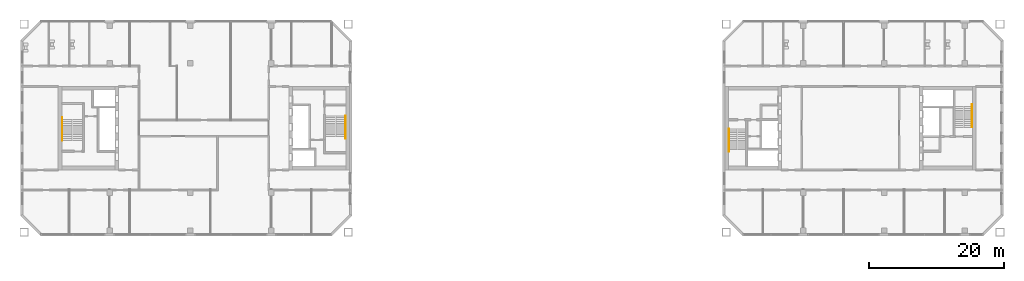
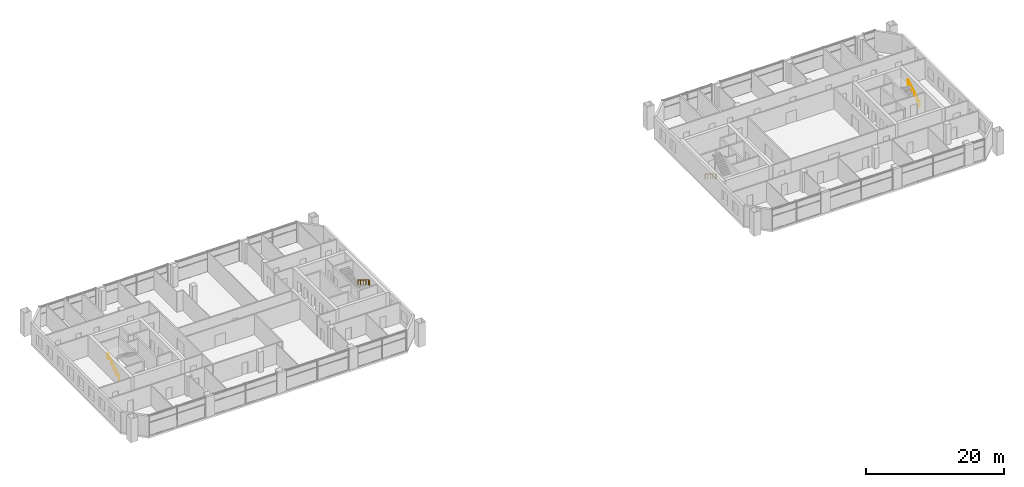
# One storey, part 16 of 17: 4 railings.
"""IFC4 building model written with IfcOpenShell, lengths in metres."""

from ifc_helpers import new_model, si_unit, direction, frame, origin, origin_2d, place, context, subcontext, project, spatial, circle, extrude, material, type_object, element, save


model = new_model("IFC4")

# Units and contexts
model_context = context("Model", 3, precision=1e-05, world=origin(), true_north=direction((0.0, 1.0)))
body_context = subcontext(model_context, "Body", "Model", "MODEL_VIEW")
ifc_project = project(units=[si_unit("LENGTHUNIT", "METRE"), si_unit("AREAUNIT", "SQUARE_METRE"), si_unit("VOLUMEUNIT", "CUBIC_METRE"), si_unit("PLANEANGLEUNIT", "RADIAN"), si_unit("MASSUNIT", "GRAM", prefix="KILO")], contexts=[model_context])

# Site, building, storey
site_placement = place(None, origin())
site = spatial("IfcSite", under=ifc_project, at=site_placement, CompositionType="ELEMENT")
building_placement = place(site_placement, origin())
building = spatial("IfcBuilding", under=site, at=building_placement, Name="Tuart Gate Housing", CompositionType="ELEMENT")
storey_placement = place(building_placement, frame((0.0, 0.0, 119.5)))
storey = spatial("IfcBuildingStorey", under=building, at=storey_placement, Name="L33", CompositionType="ELEMENT", Elevation=119.5)

# Railings
ifc_material = material(Name="Stainless steel", Category="steel")
railing_type = type_object("IfcRailingType", Name="Stair handrail 900", PredefinedType="HANDRAIL", material=ifc_material)
railing_1_placement = place(storey_placement, frame((75.030029296875, 71.824951171875, 0.175048828125)))
element("IfcRailing", 1, at=railing_1_placement, inside=storey, type_object=railing_type, Name="Stair handrail SA1.1", PredefinedType="HANDRAIL", context=body_context, shape_type="SweptSolid", body=[
    extrude(circle(Radius=0.02392578125, at=origin_2d()), frame((0.0, 0.0, 0.8759765625), z_axis=(0.0, -0.847979421464, 0.530029150871), x_axis=(1.0, 0.0, 0.0)), (0.0, 0.0, 1.0), 3.632080078125),
    extrude(circle(Radius=0.02392578125, at=origin_2d()), frame((0.0, -3.079833984375, 2.80078125), z_axis=(0.0, -1.0, 0.0), x_axis=(1.0, 0.0, 0.0)), (0.0, 0.0, 1.0), 0.300048828125),
    extrude(circle(Radius=0.02099609375, at=origin_2d()), origin(), (0.0, 0.0, 1.0), 0.851806640625),
    extrude(circle(Radius=0.02099609375, at=origin_2d()), frame((0.0, -0.77001953125, 0.481201171875)), (0.0, 0.0, 1.0), 0.851806640625),
    extrude(circle(Radius=0.02099609375, at=origin_2d()), frame((0.0, -1.5400390625, 0.96240234375)), (0.0, 0.0, 1.0), 0.851806640625),
    extrude(circle(Radius=0.02099609375, at=origin_2d()), frame((0.0, -2.309814453125, 1.44384765625)), (0.0, 0.0, 1.0), 0.851806640625),
    extrude(circle(Radius=0.02099609375, at=origin_2d()), frame((0.0, -3.079833984375, 1.925048828125)), (0.0, 0.0, 1.0), 0.851806640625),
    extrude(circle(Radius=0.02099609375, at=origin_2d()), frame((0.0, -3.3798828125, 1.925048828125)), (0.0, 0.0, 1.0), 0.851806640625),
])
railing_2_placement = place(storey_placement, frame((32.969970703125, 68.175048828125, 0.175048828125)))
element("IfcRailing", 2, at=railing_2_placement, inside=storey, type_object=railing_type, Name="Stair handrail SA2.1", PredefinedType="HANDRAIL", context=body_context, shape_type="SweptSolid", body=[
    extrude(circle(Radius=0.02392578125, at=origin_2d()), frame((0.0, 0.0, 0.8759765625), z_axis=(0.0, 0.847979421464, 0.530029150871), x_axis=(-1.0, 0.0, 0.0)), (0.0, 0.0, 1.0), 3.632080078125),
    extrude(circle(Radius=0.02392578125, at=origin_2d()), frame((0.0, 3.079833984375, 2.80078125), z_axis=(0.0, 1.0, 0.0), x_axis=(-1.0, 0.0, 0.0)), (0.0, 0.0, 1.0), 0.300048828125),
    extrude(circle(Radius=0.02099609375, at=origin_2d()), origin(), (0.0, 0.0, 1.0), 0.851806640625),
    extrude(circle(Radius=0.02099609375, at=origin_2d()), frame((0.0, 0.77001953125, 0.481201171875)), (0.0, 0.0, 1.0), 0.851806640625),
    extrude(circle(Radius=0.02099609375, at=origin_2d()), frame((0.0, 1.5400390625, 0.96240234375)), (0.0, 0.0, 1.0), 0.851806640625),
    extrude(circle(Radius=0.02099609375, at=origin_2d()), frame((0.0, 2.309814453125, 1.44384765625)), (0.0, 0.0, 1.0), 0.851806640625),
    extrude(circle(Radius=0.02099609375, at=origin_2d()), frame((0.0, 3.079833984375, 1.925048828125)), (0.0, 0.0, 1.0), 0.851806640625),
    extrude(circle(Radius=0.02099609375, at=origin_2d()), frame((0.0, 3.3798828125, 1.925048828125)), (0.0, 0.0, 1.0), 0.851806640625),
])
railing_3_placement = place(storey_placement, frame((131.969970703125, 69.875, 0.175048828125)))
element("IfcRailing", 3, at=railing_3_placement, inside=storey, type_object=railing_type, Name="Stair handrail SB1.1", PredefinedType="HANDRAIL", context=body_context, shape_type="SweptSolid", body=[
    extrude(circle(Radius=0.02392578125, at=origin_2d()), frame((0.0, 0.0, 0.8759765625), z_axis=(0.0, -0.847998304005, 0.529998940003), x_axis=(1.0, 0.0, 0.0)), (0.0, 0.0, 1.0), 3.632080078125),
    extrude(circle(Radius=0.02392578125, at=origin_2d()), frame((0.0, -3.080078125, 2.80078125), z_axis=(0.0, -1.0, 0.0), x_axis=(1.0, 0.0, 0.0)), (0.0, 0.0, 1.0), 0.2998046875),
    extrude(circle(Radius=0.02099609375, at=origin_2d()), origin(), (0.0, 0.0, 1.0), 0.851806640625),
    extrude(circle(Radius=0.02099609375, at=origin_2d()), frame((0.0, -0.77001953125, 0.481201171875)), (0.0, 0.0, 1.0), 0.851806640625),
    extrude(circle(Radius=0.02099609375, at=origin_2d()), frame((0.0, -1.5400390625, 0.96240234375)), (0.0, 0.0, 1.0), 0.851806640625),
    extrude(circle(Radius=0.02099609375, at=origin_2d()), frame((0.0, -2.31005859375, 1.44384765625)), (0.0, 0.0, 1.0), 0.851806640625),
    extrude(circle(Radius=0.02099609375, at=origin_2d()), frame((0.0, -3.080078125, 1.925048828125)), (0.0, 0.0, 1.0), 0.851806640625),
    extrude(circle(Radius=0.02099609375, at=origin_2d()), frame((0.0, -3.3798828125, 1.925048828125)), (0.0, 0.0, 1.0), 0.851806640625),
])
railing_4_placement = place(storey_placement, frame((168.030029296875, 70.125, 0.175048828125)))
element("IfcRailing", 4, at=railing_4_placement, inside=storey, type_object=railing_type, Name="Stair handrail SB2.1", PredefinedType="HANDRAIL", context=body_context, shape_type="SweptSolid", body=[
    extrude(circle(Radius=0.02392578125, at=origin_2d()), frame((0.0, 0.0, 0.8759765625), z_axis=(0.0, 0.847998304005, 0.529998940003), x_axis=(-1.0, 0.0, 0.0)), (0.0, 0.0, 1.0), 3.632080078125),
    extrude(circle(Radius=0.02392578125, at=origin_2d()), frame((0.0, 3.080078125, 2.80078125), z_axis=(0.0, 1.0, 0.0), x_axis=(-1.0, 0.0, 0.0)), (0.0, 0.0, 1.0), 0.2998046875),
    extrude(circle(Radius=0.02099609375, at=origin_2d()), origin(), (0.0, 0.0, 1.0), 0.851806640625),
    extrude(circle(Radius=0.02099609375, at=origin_2d()), frame((0.0, 0.77001953125, 0.481201171875)), (0.0, 0.0, 1.0), 0.851806640625),
    extrude(circle(Radius=0.02099609375, at=origin_2d()), frame((0.0, 1.5400390625, 0.96240234375)), (0.0, 0.0, 1.0), 0.851806640625),
    extrude(circle(Radius=0.02099609375, at=origin_2d()), frame((0.0, 2.31005859375, 1.44384765625)), (0.0, 0.0, 1.0), 0.851806640625),
    extrude(circle(Radius=0.02099609375, at=origin_2d()), frame((0.0, 3.080078125, 1.925048828125)), (0.0, 0.0, 1.0), 0.851806640625),
    extrude(circle(Radius=0.02099609375, at=origin_2d()), frame((0.0, 3.3798828125, 1.925048828125)), (0.0, 0.0, 1.0), 0.851806640625),
])

save(model, "model.ifc")
